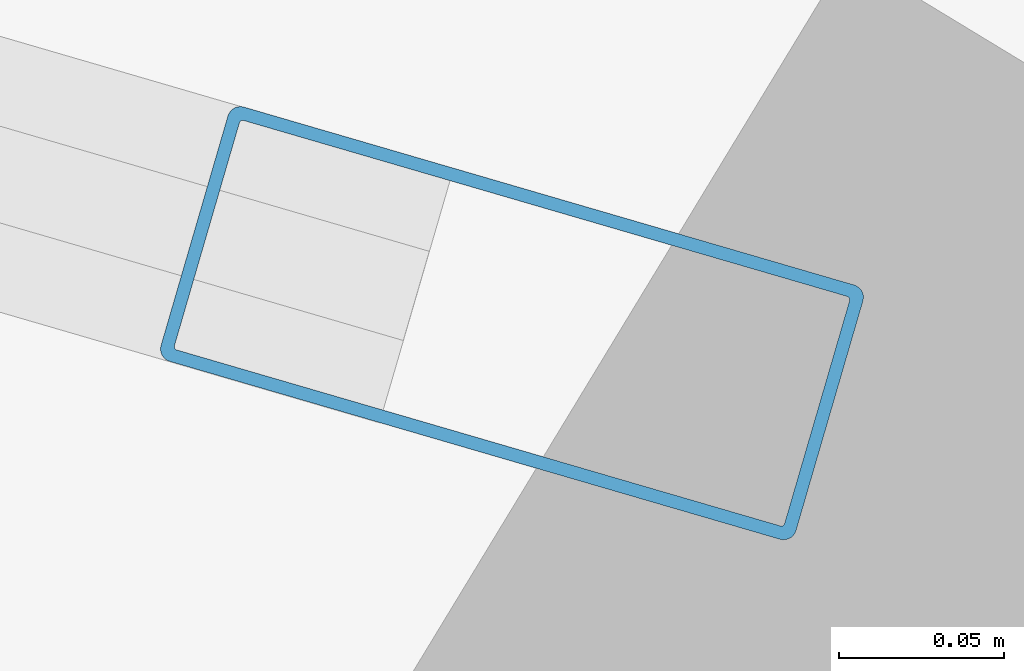
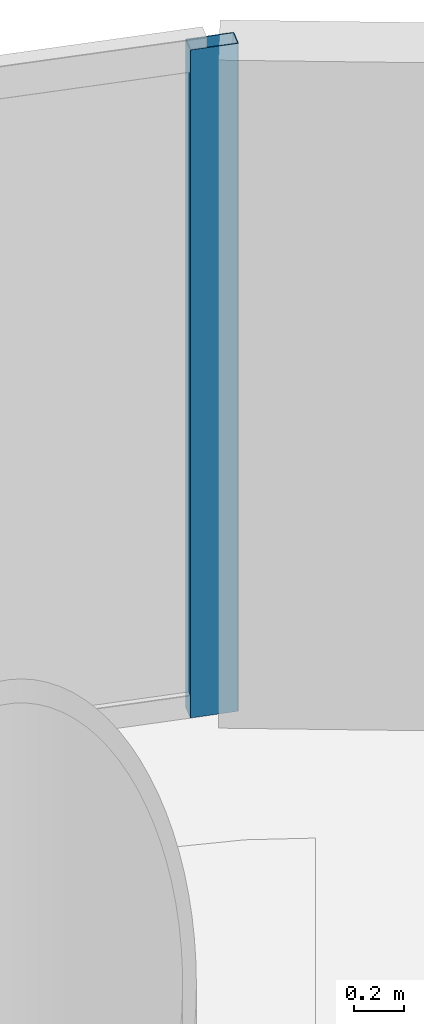
# One storey, part 15 of 22: 1 member, 1 element without a shape of its own.
"""IFC4 building model written with IfcOpenShell, lengths in metres."""

from ifc_helpers import new_model, si_unit, direction, frame, origin, origin_2d, place, context, subcontext, project, spatial, hollow_rectangle, extrude, material, layer, layer_set, material_profile, profile_set, type_object, element, aggregate, save


model = new_model("IFC4")

# Units and contexts
model_context = context("Model", 3, precision=1e-05, world=origin(), true_north=direction((0.0, 1.0)))
body_context = subcontext(model_context, "Body", "Model", "MODEL_VIEW")
ifc_project = project(units=[si_unit("LENGTHUNIT", "METRE"), si_unit("AREAUNIT", "SQUARE_METRE"), si_unit("VOLUMEUNIT", "CUBIC_METRE"), si_unit("PLANEANGLEUNIT", "RADIAN"), si_unit("MASSUNIT", "GRAM", prefix="KILO")], contexts=[model_context])

# Site, building, storey
site_placement = place(None, origin())
site = spatial("IfcSite", under=ifc_project, at=site_placement, CompositionType="ELEMENT")
building_placement = place(site_placement, origin())
building = spatial("IfcBuilding", under=site, at=building_placement, Name="Bramvorn Convention Spire", CompositionType="ELEMENT")
storey_placement = place(building_placement, frame((0.0, 0.0, 127.300048828125)))
storey = spatial("IfcBuildingStorey", under=building, at=storey_placement, Name="L31", CompositionType="ELEMENT", Elevation=127.300048828125)

# Curtain wall, member
ifc_material_1 = material(Name="Anodised Bronze Unitised Curtain Wall", Category="aluminium")
ifc_layer = layer(ifc_material_1, 0.179931640625)
ifc_layer_set = layer_set([ifc_layer], Name="Anodised Bronze Unitised Curtain Wall - CW-HTL-FRIT")
curtain_wall_type = type_object("IfcCurtainWallType", Name="CW-HTL-FRIT", PredefinedType="USERDEFINED", material=ifc_layer_set)
curtain_wall_placement = place(storey_placement, origin())
curtain_wall = element("IfcCurtainWall", 1, at=curtain_wall_placement, inside=storey, type_object=curtain_wall_type, Name="L31 fritted glass curtain wall 07", ObjectType="UNITISED CURTAIN WALL", PredefinedType="USERDEFINED")
ifc_material_2 = material(Name="Anodised Bronze Aluminium 6063-T6", Category="aluminium")
ifc_material_profile = material_profile(ifc_material_2, hollow_rectangle(XDim=0.080078125, YDim=0.199951171875, WallThickness=0.00390625, InnerFilletRadius=0.0009765625, OuterFilletRadius=0.00390625, at=origin_2d()))
ifc_profile_set = profile_set([ifc_material_profile], Name="Anodised Bronze Aluminium 6063-T6 - CWM80X200")
member_type = type_object("IfcMemberType", Name="CW-MUL-180", PredefinedType="MULLION", material=ifc_profile_set)
member_placement = place(storey_placement, frame((48.23876953125, 46.363525390625, 0.0), z_axis=(0.0, 0.0, 1.0), x_axis=(0.279856327304, 0.960041892871, 0.0)))
member = element("IfcMember", 2, at=member_placement, type_object=member_type, Name="CW2 mullion 2", PredefinedType="MULLION", context=body_context, shape_type="SweptSolid", body=[
    extrude(hollow_rectangle(XDim=0.080078125, YDim=0.199951171875, WallThickness=0.00390625, InnerFilletRadius=0.0009765625, OuterFilletRadius=0.00390625, at=origin_2d()), origin(), (0.0, 0.0, 1.0), 3.260009765625),
])
aggregate(curtain_wall, [member])

save(model, "model.ifc")
